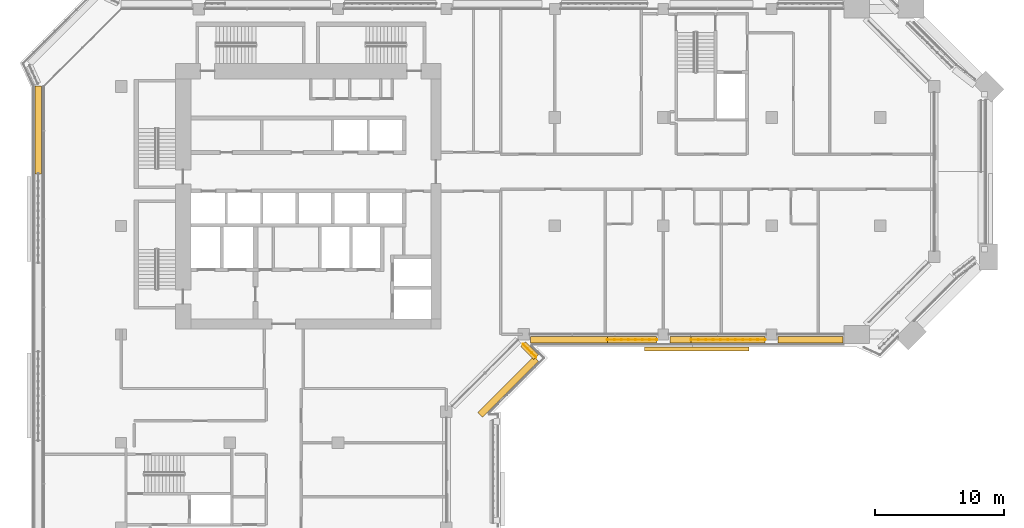
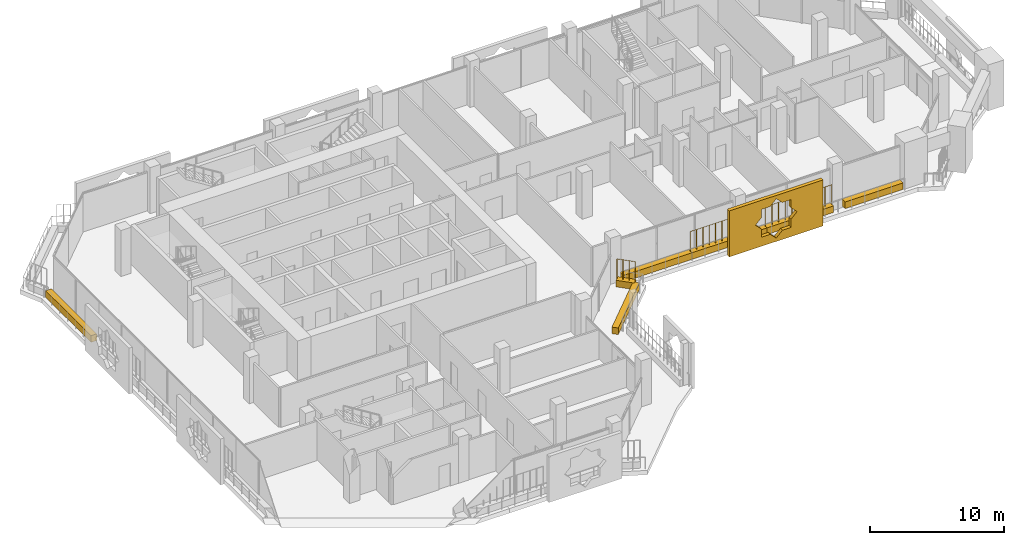
# One storey, part 18 of 21: 9 coverings, 3 railings.
"""IFC4 building model written with IfcOpenShell, lengths in metres."""

from ifc_helpers import new_model, si_unit, direction, frame, origin, origin_2d, place, context, subcontext, project, spatial, polyline, rectangle, circle, outline, extrude, material, material_profile, profile_set, type_object, element, save


model = new_model("IFC4")

# Units and contexts
model_context = context("Model", 3, precision=1e-05, world=origin(), true_north=direction((0.0, 1.0)))
body_context = subcontext(model_context, "Body", "Model", "MODEL_VIEW")
ifc_project = project(units=[si_unit("LENGTHUNIT", "METRE"), si_unit("AREAUNIT", "SQUARE_METRE"), si_unit("VOLUMEUNIT", "CUBIC_METRE"), si_unit("PLANEANGLEUNIT", "RADIAN"), si_unit("MASSUNIT", "GRAM", prefix="KILO")], contexts=[model_context])

# Site, building, storey
site_placement = place(None, origin())
site = spatial("IfcSite", under=ifc_project, at=site_placement, CompositionType="ELEMENT")
building_placement = place(site_placement, origin())
building = spatial("IfcBuilding", under=site, at=building_placement, Name="Kawkab Arch Medical Tower", CompositionType="ELEMENT")
storey_placement = place(building_placement, frame((0.0, 0.0, 234.800048828125)))
storey = spatial("IfcBuildingStorey", under=building, at=storey_placement, Name="L54", CompositionType="ELEMENT", Elevation=234.800048828125)

# Coverings
ifc_material_1 = material(Name="Bronze anodised aluminium mashrabiya panel, eight-point star pattern", Category="aluminium")
ifc_material_profile_1 = material_profile(ifc_material_1, outline(polyline([(-4.050048828125, -2.10009765625), (4.050048828125, -2.10009765625), (4.050048828125, 2.10009765625), (-4.050048828125, 2.10009765625), (-4.050048828125, -2.10009765625)]), holes=[polyline([(1.800048828125, 0.0), (1.272705078125, 0.527099609375), (1.272705078125, 1.272705078125), (0.527099609375, 1.272705078125), (0.0, 1.800048828125), (-0.527099609375, 1.272705078125), (-1.272705078125, 1.272705078125), (-1.272705078125, 0.527099609375), (-1.800048828125, 0.0), (-1.272705078125, -0.527099609375), (-1.272705078125, -1.272705078125), (-0.527099609375, -1.272705078125), (0.0, -1.800048828125), (0.527099609375, -1.272705078125), (1.272705078125, -1.272705078125), (1.272705078125, -0.527099609375), (1.800048828125, 0.0)])]), Name="Mashrabiya panel 8100x4200")
ifc_profile_set_1 = profile_set([ifc_material_profile_1], Name="Bronze anodised aluminium mashrabiya panel, eight-point star pattern")
covering_type_1 = type_object("IfcCoveringType", Name="Mashrabiya panel 8100 x 4200", PredefinedType="USERDEFINED", material=ifc_profile_set_1)
covering_1_placement = place(storey_placement, frame((44.59228515625, -26.199951171875, 1.699951171875), z_axis=(0.0, -1.0, 0.0), x_axis=(1.0, 0.0, 0.0)))
element("IfcCovering", 1, at=covering_1_placement, inside=storey, type_object=covering_type_1, Name="Mashrabiya panel L54.LOG-01-01.10", ObjectType="SCREEN", PredefinedType="USERDEFINED", context=body_context, shape_type="SweptSolid", body=[
    extrude(outline(polyline([(-4.050048828125, -2.10009765625), (4.050048828125, -2.10009765625), (4.050048828125, 2.10009765625), (-4.050048828125, 2.10009765625), (-4.050048828125, -2.10009765625)]), holes=[polyline([(1.800048828125, 0.0), (1.272705078125, 0.527099609375), (1.272705078125, 1.272705078125), (0.527099609375, 1.272705078125), (0.0, 1.800048828125), (-0.527099609375, 1.272705078125), (-1.272705078125, 1.272705078125), (-1.272705078125, 0.527099609375), (-1.800048828125, 0.0), (-1.272705078125, -0.527099609375), (-1.272705078125, -1.272705078125), (-0.527099609375, -1.272705078125), (0.0, -1.800048828125), (0.527099609375, -1.272705078125), (1.272705078125, -1.272705078125), (1.272705078125, -0.527099609375), (1.800048828125, 0.0)])]), origin(), (0.0, 0.0, 1.0), 0.300048828125),
])
ifc_material_2 = material(Name="Planting soil in a precast trough", Category="concrete")
ifc_material_profile_2 = material_profile(ifc_material_2, rectangle(XDim=0.5, YDim=0.60009765625, at=origin_2d()), Name="Trough 500x600")
ifc_profile_set_2 = profile_set([ifc_material_profile_2], Name="Planting soil in a precast trough")
covering_type_2 = type_object("IfcCoveringType", Name="Planter trough 500 x 600", PredefinedType="USERDEFINED", material=ifc_profile_set_2)
covering_2_placement = place(storey_placement, frame((-6.419921875, -12.763916015625, 0.300048828125), z_axis=(0.0, 1.0, 0.0), x_axis=(-1.0, 0.0, 0.0)))
element("IfcCovering", 2, at=covering_2_placement, inside=storey, type_object=covering_type_2, Name="Planter L54.LOG-01-01.12", ObjectType="PLANTER", PredefinedType="USERDEFINED", context=body_context, shape_type="SweptSolid", body=[
    extrude(rectangle(XDim=0.5, YDim=0.60009765625, at=origin_2d()), origin(), (0.0, 0.0, 1.0), 6.789794921875),
])
covering_3_placement = place(storey_placement, frame((55.919921875, -25.6201171875, 0.300048828125), z_axis=(-1.0, 0.0, 0.0), x_axis=(0.0, -1.0, 0.0)))
element("IfcCovering", 3, at=covering_3_placement, inside=storey, type_object=covering_type_2, Name="Planter L54.LOG-01-01.32", ObjectType="PLANTER", PredefinedType="USERDEFINED", context=body_context, shape_type="SweptSolid", body=[
    extrude(rectangle(XDim=0.5, YDim=0.60009765625, at=origin_2d()), origin(), (0.0, 0.0, 1.0), 5.014892578125),
])
covering_4_placement = place(storey_placement, frame((49.89501953125, -25.6201171875, 0.300048828125), z_axis=(-1.0, 0.0, 0.0), x_axis=(0.0, -1.0, 0.0)))
element("IfcCovering", 4, at=covering_4_placement, inside=storey, type_object=covering_type_2, Name="Planter L54.LOG-01-01.33", ObjectType="PLANTER", PredefinedType="USERDEFINED", context=body_context, shape_type="SweptSolid", body=[
    extrude(rectangle(XDim=0.5, YDim=0.60009765625, at=origin_2d()), origin(), (0.0, 0.0, 1.0), 5.739990234375),
])
covering_5_placement = place(storey_placement, frame((44.155029296875, -25.6201171875, 0.300048828125), z_axis=(-1.0, 0.0, 0.0), x_axis=(0.0, -1.0, 0.0)))
element("IfcCovering", 5, at=covering_5_placement, inside=storey, type_object=covering_type_2, Name="Planter L54.LOG-01-01.34", ObjectType="PLANTER", PredefinedType="USERDEFINED", context=body_context, shape_type="SweptSolid", body=[
    extrude(rectangle(XDim=0.5, YDim=0.60009765625, at=origin_2d()), origin(), (0.0, 0.0, 1.0), 1.650146484375),
])
covering_6_placement = place(storey_placement, frame((41.4951171875, -25.6201171875, 0.300048828125), z_axis=(-1.0, 0.0, 0.0), x_axis=(0.0, -1.0, 0.0)))
element("IfcCovering", 6, at=covering_6_placement, inside=storey, type_object=covering_type_2, Name="Planter L54.LOG-01-01.35", ObjectType="PLANTER", PredefinedType="USERDEFINED", context=body_context, shape_type="SweptSolid", body=[
    extrude(rectangle(XDim=0.5, YDim=0.60009765625, at=origin_2d()), origin(), (0.0, 0.0, 1.0), 3.8251953125),
])
covering_7_placement = place(storey_placement, frame((37.669921875, -25.6201171875, 0.300048828125), z_axis=(-1.0, 0.0, 0.0), x_axis=(0.0, -1.0, 0.0)))
element("IfcCovering", 7, at=covering_7_placement, inside=storey, type_object=covering_type_2, Name="Planter L54.LOG-01-01.36", ObjectType="PLANTER", PredefinedType="USERDEFINED", context=body_context, shape_type="SweptSolid", body=[
    extrude(rectangle(XDim=0.5, YDim=0.60009765625, at=origin_2d()), origin(), (0.0, 0.0, 1.0), 5.93994140625),
])
covering_8_placement = place(storey_placement, frame((31.14306640625, -25.962890625, 0.300048828125), z_axis=(0.707020805532, -0.707192746389, 0.0), x_axis=(0.707192746389, 0.707020805532, 0.0)))
element("IfcCovering", 8, at=covering_8_placement, inside=storey, type_object=covering_type_2, Name="Planter L54.LOG-01-01.37", ObjectType="PLANTER", PredefinedType="USERDEFINED", context=body_context, shape_type="SweptSolid", body=[
    extrude(rectangle(XDim=0.5, YDim=0.60009765625, at=origin_2d()), origin(), (0.0, 0.0, 1.0), 1.419921875),
])
covering_9_placement = place(storey_placement, frame((32.14697265625, -27.10888671875, 0.300048828125), z_axis=(-0.707007043994, -0.707206504313, 0.0), x_axis=(0.707206504313, -0.707007043994, 0.0)))
element("IfcCovering", 9, at=covering_9_placement, inside=storey, type_object=covering_type_2, Name="Planter L54.LOG-01-01.38", ObjectType="PLANTER", PredefinedType="USERDEFINED", context=body_context, shape_type="SweptSolid", body=[
    extrude(rectangle(XDim=0.5, YDim=0.60009765625, at=origin_2d()), origin(), (0.0, 0.0, 1.0), 6.1201171875),
])

# Railings
ifc_material_3 = material(Name="Bronze anodised aluminium trellis for climbing plants", Category="aluminium")
railing_type = type_object("IfcRailingType", Name="Planting trellis 2400", PredefinedType="USERDEFINED", material=ifc_material_3)
railing_1_placement = place(storey_placement, frame((49.89501953125, -25.6201171875, 0.0)))
element("IfcRailing", 10, at=railing_1_placement, inside=storey, type_object=railing_type, Name="Planting trellis L54.LOG-01-01.33", ObjectType="TRELLIS", PredefinedType="USERDEFINED", context=body_context, shape_type="SweptSolid", body=[
    extrude(circle(Radius=0.01513671875, at=origin_2d()), frame((0.0, 0.0, 2.384765625), z_axis=(-1.0, 0.0, 0.0), x_axis=(0.0, -1.0, 0.0)), (0.0, 0.0, 1.0), 5.739990234375),
    extrude(circle(Radius=0.030029296875, at=origin_2d()), origin(), (0.0, 0.0, 1.0), 2.369873046875),
    extrude(circle(Radius=0.030029296875, at=origin_2d()), frame((-0.573974609375, 0.0, 0.0)), (0.0, 0.0, 1.0), 2.369873046875),
    extrude(circle(Radius=0.030029296875, at=origin_2d()), frame((-1.14794921875, 0.0, 0.0)), (0.0, 0.0, 1.0), 2.369873046875),
    extrude(circle(Radius=0.030029296875, at=origin_2d()), frame((-1.721923828125, 0.0, 0.0)), (0.0, 0.0, 1.0), 2.369873046875),
    extrude(circle(Radius=0.030029296875, at=origin_2d()), frame((-2.2958984375, 0.0, 0.0)), (0.0, 0.0, 1.0), 2.369873046875),
    extrude(circle(Radius=0.030029296875, at=origin_2d()), frame((-2.8701171875, 0.0, 0.0)), (0.0, 0.0, 1.0), 2.369873046875),
    extrude(circle(Radius=0.030029296875, at=origin_2d()), frame((-3.444091796875, 0.0, 0.0)), (0.0, 0.0, 1.0), 2.369873046875),
    extrude(circle(Radius=0.030029296875, at=origin_2d()), frame((-4.01806640625, 0.0, 0.0)), (0.0, 0.0, 1.0), 2.369873046875),
    extrude(circle(Radius=0.030029296875, at=origin_2d()), frame((-4.592041015625, 0.0, 0.0)), (0.0, 0.0, 1.0), 2.369873046875),
    extrude(circle(Radius=0.030029296875, at=origin_2d()), frame((-5.166015625, 0.0, 0.0)), (0.0, 0.0, 1.0), 2.369873046875),
    extrude(circle(Radius=0.030029296875, at=origin_2d()), frame((-5.739990234375, 0.0, 0.0)), (0.0, 0.0, 1.0), 2.369873046875),
])
railing_2_placement = place(storey_placement, frame((41.4951171875, -25.6201171875, 0.0)))
element("IfcRailing", 11, at=railing_2_placement, inside=storey, type_object=railing_type, Name="Planting trellis L54.LOG-01-01.35", ObjectType="TRELLIS", PredefinedType="USERDEFINED", context=body_context, shape_type="SweptSolid", body=[
    extrude(circle(Radius=0.01513671875, at=origin_2d()), frame((0.0, 0.0, 2.384765625), z_axis=(-1.0, 0.0, 0.0), x_axis=(0.0, -1.0, 0.0)), (0.0, 0.0, 1.0), 3.8251953125),
    extrude(circle(Radius=0.030029296875, at=origin_2d()), origin(), (0.0, 0.0, 1.0), 2.369873046875),
    extrude(circle(Radius=0.030029296875, at=origin_2d()), frame((-0.54638671875, 0.0, 0.0)), (0.0, 0.0, 1.0), 2.369873046875),
    extrude(circle(Radius=0.030029296875, at=origin_2d()), frame((-1.093017578125, 0.0, 0.0)), (0.0, 0.0, 1.0), 2.369873046875),
    extrude(circle(Radius=0.030029296875, at=origin_2d()), frame((-1.639404296875, 0.0, 0.0)), (0.0, 0.0, 1.0), 2.369873046875),
    extrude(circle(Radius=0.030029296875, at=origin_2d()), frame((-2.185791015625, 0.0, 0.0)), (0.0, 0.0, 1.0), 2.369873046875),
    extrude(circle(Radius=0.030029296875, at=origin_2d()), frame((-2.732177734375, 0.0, 0.0)), (0.0, 0.0, 1.0), 2.369873046875),
    extrude(circle(Radius=0.030029296875, at=origin_2d()), frame((-3.27880859375, 0.0, 0.0)), (0.0, 0.0, 1.0), 2.369873046875),
    extrude(circle(Radius=0.030029296875, at=origin_2d()), frame((-3.8251953125, 0.0, 0.0)), (0.0, 0.0, 1.0), 2.369873046875),
])
railing_3_placement = place(storey_placement, frame((31.14306640625, -25.962890625, 0.0)))
element("IfcRailing", 12, at=railing_3_placement, inside=storey, type_object=railing_type, Name="Planting trellis L54.LOG-01-01.37", ObjectType="TRELLIS", PredefinedType="USERDEFINED", context=body_context, shape_type="SweptSolid", body=[
    extrude(circle(Radius=0.01513671875, at=origin_2d()), frame((0.0, 0.0, 2.384765625), z_axis=(0.707020805532, -0.707192746389, 0.0), x_axis=(0.707192746389, 0.707020805532, 0.0)), (0.0, 0.0, 1.0), 1.419921875),
    extrude(circle(Radius=0.030029296875, at=origin_2d()), origin(), (0.0, 0.0, 1.0), 2.369873046875),
    extrude(circle(Radius=0.030029296875, at=origin_2d()), frame((0.334716796875, -0.334716796875, 0.0)), (0.0, 0.0, 1.0), 2.369873046875),
    extrude(circle(Radius=0.030029296875, at=origin_2d()), frame((0.669189453125, -0.66943359375, 0.0)), (0.0, 0.0, 1.0), 2.369873046875),
    extrude(circle(Radius=0.030029296875, at=origin_2d()), frame((1.00390625, -1.004150390625, 0.0)), (0.0, 0.0, 1.0), 2.369873046875),
])

save(model, "model.ifc")
